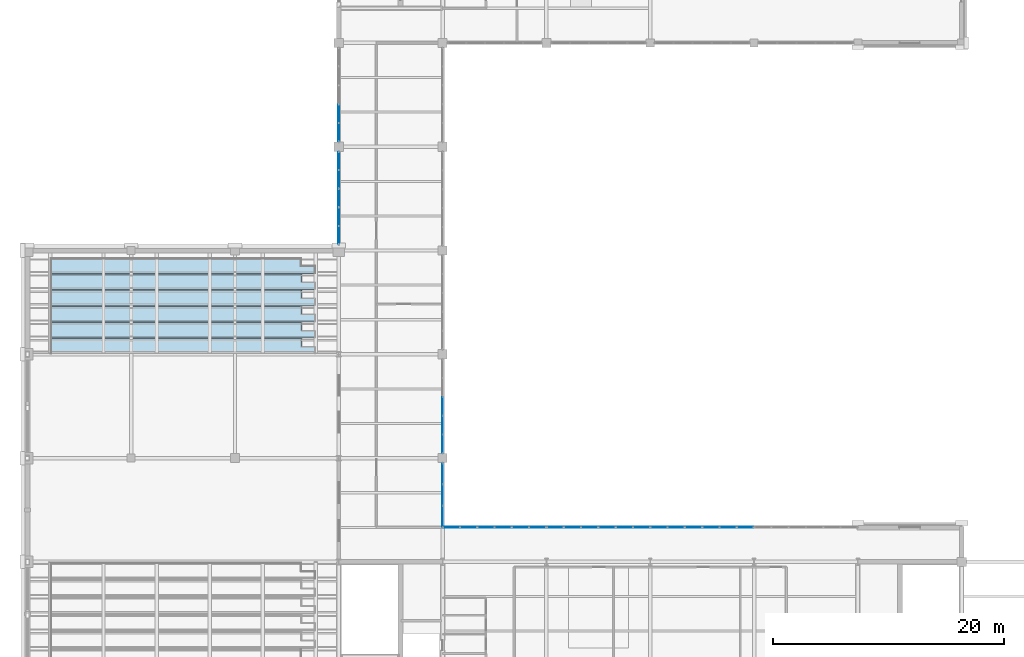
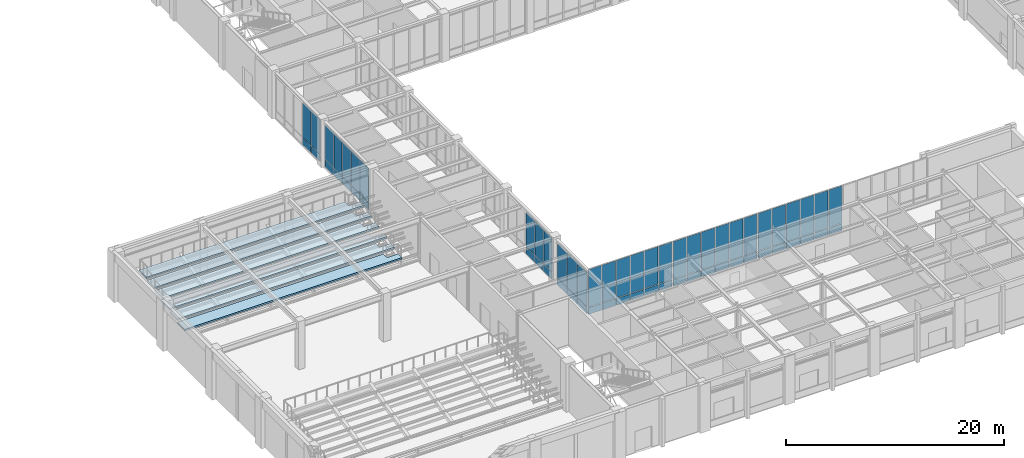
# One storey, part 52 of 77: 62 plates, 6 slabs, 7 elements without a shape of their own.
"""IFC4 building model written with IfcOpenShell, lengths in metres."""

from ifc_helpers import new_model, si_unit, direction, frame, origin, origin_2d, place, context, subcontext, project, spatial, polyline, rectangle, outline, extrude, material, layer, layer_set, type_object, element, aggregate, save


model = new_model("IFC4")

# Units and contexts
model_context = context("Model", 3, precision=1e-05, world=origin(), true_north=direction((0.0, 1.0)))
body_context = subcontext(model_context, "Body", "Model", "MODEL_VIEW")
ifc_project = project(units=[si_unit("LENGTHUNIT", "METRE"), si_unit("AREAUNIT", "SQUARE_METRE"), si_unit("VOLUMEUNIT", "CUBIC_METRE"), si_unit("PLANEANGLEUNIT", "RADIAN"), si_unit("MASSUNIT", "GRAM", prefix="KILO")], contexts=[model_context])

# Site, building, storey
site_placement = place(None, origin())
site = spatial("IfcSite", under=ifc_project, at=site_placement, CompositionType="ELEMENT")
building_placement = place(site_placement, origin())
building = spatial("IfcBuilding", under=site, at=building_placement, Name="Lykobir Media Centre", CompositionType="ELEMENT")
storey_placement = place(building_placement, origin())
storey = spatial("IfcBuildingStorey", under=building, at=storey_placement, Name="L00", CompositionType="ELEMENT", Elevation=0.0)

# Curtain wall, plates
ifc_material_1 = material(Name="Anodized Aluminium AW-6060", Category="aluminium")
curtain_wall_type = type_object("IfcCurtainWallType", Name="CW-COURT-A", PredefinedType="NOTDEFINED", material=ifc_material_1)
curtain_wall_1_placement = place(storey_placement, origin())
curtain_wall_1 = element("IfcCurtainWall", 1, at=curtain_wall_1_placement, inside=storey, type_object=curtain_wall_type, Name="Curtain wall CW2-L00-0010", PredefinedType="NOTDEFINED")
ifc_material_2 = material(Name="Low-E Laminated Triple Glazing", Category="glass")
ifc_layer_1 = layer(ifc_material_2, 0.0380859375, Name="Low-E Laminated Triple Glazing")
ifc_layer_set_1 = layer_set([ifc_layer_1], Name="Low-E Laminated Triple Glazing")
plate_type_1 = type_object("IfcPlateType", Name="CWP-GLZ-38", PredefinedType="CURTAIN_PANEL", material=ifc_layer_set_1)
plate_1_placement = place(storey_placement, frame((36.76611328125, 21.0, 0.882568359375), z_axis=(0.0, 0.0, 1.0), x_axis=(1.0, 0.0, 0.0)))
plate_1 = element("IfcPlate", 2, at=plate_1_placement, type_object=plate_type_1, Name="CW2-L00-0010 panel 1.2", PredefinedType="CURTAIN_PANEL", context=body_context, shape_type="SweptSolid", body=[
    extrude(rectangle(XDim=1.402587890625, YDim=0.0380859375, at=origin_2d()), origin(), (0.0, 0.0, 1.0), 4.1923828125),
])
plate_2_placement = place(storey_placement, frame((38.25, 21.0, 0.882568359375), z_axis=(0.0, 0.0, 1.0), x_axis=(1.0, 0.0, 0.0)))
plate_2 = element("IfcPlate", 3, at=plate_2_placement, type_object=plate_type_1, Name="CW2-L00-0010 panel 2.2", PredefinedType="CURTAIN_PANEL", context=body_context, shape_type="SweptSolid", body=[
    extrude(rectangle(XDim=1.43505859375, YDim=0.0380859375, at=origin_2d()), origin(), (0.0, 0.0, 1.0), 4.1923828125),
])
plate_3_placement = place(storey_placement, frame((39.75, 21.0, 0.882568359375), z_axis=(0.0, 0.0, 1.0), x_axis=(1.0, 0.0, 0.0)))
plate_3 = element("IfcPlate", 4, at=plate_3_placement, type_object=plate_type_1, Name="CW2-L00-0010 panel 3.2", PredefinedType="CURTAIN_PANEL", context=body_context, shape_type="SweptSolid", body=[
    extrude(rectangle(XDim=1.43505859375, YDim=0.0380859375, at=origin_2d()), origin(), (0.0, 0.0, 1.0), 4.1923828125),
])
plate_4_placement = place(storey_placement, frame((41.25, 21.0, 0.882568359375), z_axis=(0.0, 0.0, 1.0), x_axis=(1.0, 0.0, 0.0)))
plate_4 = element("IfcPlate", 5, at=plate_4_placement, type_object=plate_type_1, Name="CW2-L00-0010 panel 4.2", PredefinedType="CURTAIN_PANEL", context=body_context, shape_type="SweptSolid", body=[
    extrude(rectangle(XDim=1.43505859375, YDim=0.0380859375, at=origin_2d()), origin(), (0.0, 0.0, 1.0), 4.1923828125),
])
plate_5_placement = place(storey_placement, frame((42.75, 21.0, 0.882568359375), z_axis=(0.0, 0.0, 1.0), x_axis=(1.0, 0.0, 0.0)))
plate_5 = element("IfcPlate", 6, at=plate_5_placement, type_object=plate_type_1, Name="CW2-L00-0010 panel 5.2", PredefinedType="CURTAIN_PANEL", context=body_context, shape_type="SweptSolid", body=[
    extrude(rectangle(XDim=1.43505859375, YDim=0.0380859375, at=origin_2d()), origin(), (0.0, 0.0, 1.0), 4.1923828125),
])
plate_6_placement = place(storey_placement, frame((44.23388671875, 21.0, 0.882568359375), z_axis=(0.0, 0.0, 1.0), x_axis=(1.0, 0.0, 0.0)))
plate_6 = element("IfcPlate", 7, at=plate_6_placement, type_object=plate_type_1, Name="CW2-L00-0010 panel 6.2", PredefinedType="CURTAIN_PANEL", context=body_context, shape_type="SweptSolid", body=[
    extrude(rectangle(XDim=1.402587890625, YDim=0.0380859375, at=origin_2d()), origin(), (0.0, 0.0, 1.0), 4.1923828125),
])

curtain_wall_2_placement = place(storey_placement, origin())
curtain_wall_2 = element("IfcCurtainWall", 8, at=curtain_wall_2_placement, inside=storey, type_object=curtain_wall_type, Name="Curtain wall CW2-L00-0011", PredefinedType="NOTDEFINED")
plate_7_placement = place(storey_placement, frame((45.76611328125, 21.0, 0.882568359375), z_axis=(0.0, 0.0, 1.0), x_axis=(1.0, 0.0, 0.0)))
plate_7 = element("IfcPlate", 9, at=plate_7_placement, type_object=plate_type_1, Name="CW2-L00-0011 panel 1.2", PredefinedType="CURTAIN_PANEL", context=body_context, shape_type="SweptSolid", body=[
    extrude(rectangle(XDim=1.402587890625, YDim=0.0380859375, at=origin_2d()), origin(), (0.0, 0.0, 1.0), 4.1923828125),
])
plate_8_placement = place(storey_placement, frame((47.25, 21.0, 0.882568359375), z_axis=(0.0, 0.0, 1.0), x_axis=(1.0, 0.0, 0.0)))
plate_8 = element("IfcPlate", 10, at=plate_8_placement, type_object=plate_type_1, Name="CW2-L00-0011 panel 2.2", PredefinedType="CURTAIN_PANEL", context=body_context, shape_type="SweptSolid", body=[
    extrude(rectangle(XDim=1.43505859375, YDim=0.0380859375, at=origin_2d()), origin(), (0.0, 0.0, 1.0), 4.1923828125),
])
plate_9_placement = place(storey_placement, frame((48.75, 21.0, 0.882568359375), z_axis=(0.0, 0.0, 1.0), x_axis=(1.0, 0.0, 0.0)))
plate_9 = element("IfcPlate", 11, at=plate_9_placement, type_object=plate_type_1, Name="CW2-L00-0011 panel 3.2", PredefinedType="CURTAIN_PANEL", context=body_context, shape_type="SweptSolid", body=[
    extrude(rectangle(XDim=1.43505859375, YDim=0.0380859375, at=origin_2d()), origin(), (0.0, 0.0, 1.0), 4.1923828125),
])
plate_10_placement = place(storey_placement, frame((50.25, 21.0, 0.882568359375), z_axis=(0.0, 0.0, 1.0), x_axis=(1.0, 0.0, 0.0)))
plate_10 = element("IfcPlate", 12, at=plate_10_placement, type_object=plate_type_1, Name="CW2-L00-0011 panel 4.2", PredefinedType="CURTAIN_PANEL", context=body_context, shape_type="SweptSolid", body=[
    extrude(rectangle(XDim=1.43505859375, YDim=0.0380859375, at=origin_2d()), origin(), (0.0, 0.0, 1.0), 4.1923828125),
])
plate_11_placement = place(storey_placement, frame((51.75, 21.0, 0.882568359375), z_axis=(0.0, 0.0, 1.0), x_axis=(1.0, 0.0, 0.0)))
plate_11 = element("IfcPlate", 13, at=plate_11_placement, type_object=plate_type_1, Name="CW2-L00-0011 panel 5.2", PredefinedType="CURTAIN_PANEL", context=body_context, shape_type="SweptSolid", body=[
    extrude(rectangle(XDim=1.43505859375, YDim=0.0380859375, at=origin_2d()), origin(), (0.0, 0.0, 1.0), 4.1923828125),
])
plate_12_placement = place(storey_placement, frame((53.23388671875, 21.0, 0.882568359375), z_axis=(0.0, 0.0, 1.0), x_axis=(1.0, 0.0, 0.0)))
plate_12 = element("IfcPlate", 14, at=plate_12_placement, type_object=plate_type_1, Name="CW2-L00-0011 panel 6.2", PredefinedType="CURTAIN_PANEL", context=body_context, shape_type="SweptSolid", body=[
    extrude(rectangle(XDim=1.402587890625, YDim=0.0380859375, at=origin_2d()), origin(), (0.0, 0.0, 1.0), 4.1923828125),
])

curtain_wall_3_placement = place(storey_placement, origin())
curtain_wall_3 = element("IfcCurtainWall", 15, at=curtain_wall_3_placement, inside=storey, type_object=curtain_wall_type, Name="Curtain wall CW2-L00-0012", PredefinedType="NOTDEFINED")
plate_13_placement = place(storey_placement, frame((54.76611328125, 21.0, 0.882568359375), z_axis=(0.0, 0.0, 1.0), x_axis=(1.0, 0.0, 0.0)))
plate_13 = element("IfcPlate", 16, at=plate_13_placement, type_object=plate_type_1, Name="CW2-L00-0012 panel 1.2", PredefinedType="CURTAIN_PANEL", context=body_context, shape_type="SweptSolid", body=[
    extrude(rectangle(XDim=1.402587890625, YDim=0.0380859375, at=origin_2d()), origin(), (0.0, 0.0, 1.0), 4.1923828125),
])
plate_14_placement = place(storey_placement, frame((56.25, 21.0, 0.882568359375), z_axis=(0.0, 0.0, 1.0), x_axis=(1.0, 0.0, 0.0)))
plate_14 = element("IfcPlate", 17, at=plate_14_placement, type_object=plate_type_1, Name="CW2-L00-0012 panel 2.2", PredefinedType="CURTAIN_PANEL", context=body_context, shape_type="SweptSolid", body=[
    extrude(rectangle(XDim=1.43505859375, YDim=0.0380859375, at=origin_2d()), origin(), (0.0, 0.0, 1.0), 4.1923828125),
])
plate_15_placement = place(storey_placement, frame((57.75, 21.0, 0.882568359375), z_axis=(0.0, 0.0, 1.0), x_axis=(1.0, 0.0, 0.0)))
plate_15 = element("IfcPlate", 18, at=plate_15_placement, type_object=plate_type_1, Name="CW2-L00-0012 panel 3.2", PredefinedType="CURTAIN_PANEL", context=body_context, shape_type="SweptSolid", body=[
    extrude(rectangle(XDim=1.43505859375, YDim=0.0380859375, at=origin_2d()), origin(), (0.0, 0.0, 1.0), 4.1923828125),
])
plate_16_placement = place(storey_placement, frame((59.25, 21.0, 0.882568359375), z_axis=(0.0, 0.0, 1.0), x_axis=(1.0, 0.0, 0.0)))
plate_16 = element("IfcPlate", 19, at=plate_16_placement, type_object=plate_type_1, Name="CW2-L00-0012 panel 4.2", PredefinedType="CURTAIN_PANEL", context=body_context, shape_type="SweptSolid", body=[
    extrude(rectangle(XDim=1.43505859375, YDim=0.0380859375, at=origin_2d()), origin(), (0.0, 0.0, 1.0), 4.1923828125),
])
plate_17_placement = place(storey_placement, frame((60.75, 21.0, 0.882568359375), z_axis=(0.0, 0.0, 1.0), x_axis=(1.0, 0.0, 0.0)))
plate_17 = element("IfcPlate", 20, at=plate_17_placement, type_object=plate_type_1, Name="CW2-L00-0012 panel 5.2", PredefinedType="CURTAIN_PANEL", context=body_context, shape_type="SweptSolid", body=[
    extrude(rectangle(XDim=1.43505859375, YDim=0.0380859375, at=origin_2d()), origin(), (0.0, 0.0, 1.0), 4.1923828125),
])
plate_18_placement = place(storey_placement, frame((62.23388671875, 21.0, 0.882568359375), z_axis=(0.0, 0.0, 1.0), x_axis=(1.0, 0.0, 0.0)))
plate_18 = element("IfcPlate", 21, at=plate_18_placement, type_object=plate_type_1, Name="CW2-L00-0012 panel 6.2", PredefinedType="CURTAIN_PANEL", context=body_context, shape_type="SweptSolid", body=[
    extrude(rectangle(XDim=1.402587890625, YDim=0.0380859375, at=origin_2d()), origin(), (0.0, 0.0, 1.0), 4.1923828125),
])

curtain_wall_4_placement = place(storey_placement, origin())
curtain_wall_4 = element("IfcCurtainWall", 22, at=curtain_wall_4_placement, inside=storey, type_object=curtain_wall_type, Name="Curtain wall CW2-L00-0014", PredefinedType="NOTDEFINED")
plate_19_placement = place(storey_placement, frame((36.0, 25.646240234375, 0.882568359375), z_axis=(0.0, 0.0, 1.0), x_axis=(0.0, -1.0, 0.0)))
plate_19 = element("IfcPlate", 23, at=plate_19_placement, type_object=plate_type_1, Name="CW2-L00-0014 panel 1.2", PredefinedType="CURTAIN_PANEL", context=body_context, shape_type="SweptSolid", body=[
    extrude(rectangle(XDim=1.767578125, YDim=0.0380859375, at=origin_2d()), origin(), (0.0, 0.0, 1.0), 3.8076171875),
])
plate_20_placement = place(storey_placement, frame((36.0, 23.797607421875, 0.882568359375), z_axis=(0.0, 0.0, 1.0), x_axis=(0.0, -1.0, 0.0)))
plate_20 = element("IfcPlate", 24, at=plate_20_placement, type_object=plate_type_1, Name="CW2-L00-0014 panel 2.2", PredefinedType="CURTAIN_PANEL", context=body_context, shape_type="SweptSolid", body=[
    extrude(rectangle(XDim=1.800048828125, YDim=0.0380859375, at=origin_2d()), origin(), (0.0, 0.0, 1.0), 3.8076171875),
])
plate_21_placement = place(storey_placement, frame((36.0, 21.94873046875, 0.882568359375), z_axis=(0.0, 0.0, 1.0), x_axis=(0.0, -1.0, 0.0)))
plate_21 = element("IfcPlate", 25, at=plate_21_placement, type_object=plate_type_1, Name="CW2-L00-0014 panel 3.2", PredefinedType="CURTAIN_PANEL", context=body_context, shape_type="SweptSolid", body=[
    extrude(rectangle(XDim=1.767578125, YDim=0.0380859375, at=origin_2d()), origin(), (0.0, 0.0, 1.0), 3.8076171875),
])

curtain_wall_5_placement = place(storey_placement, origin())
curtain_wall_5 = element("IfcCurtainWall", 26, at=curtain_wall_5_placement, inside=storey, type_object=curtain_wall_type, Name="Curtain wall CW2-L00-0015", PredefinedType="NOTDEFINED")
plate_22_placement = place(storey_placement, frame((36.0, 31.5, 0.882568359375), z_axis=(0.0, 0.0, 1.0), x_axis=(0.0, -1.0, 0.0)))
plate_22 = element("IfcPlate", 27, at=plate_22_placement, type_object=plate_type_1, Name="CW2-L00-0015 panel 3.2", PredefinedType="CURTAIN_PANEL", context=body_context, shape_type="SweptSolid", body=[
    extrude(rectangle(XDim=1.572998046875, YDim=0.0380859375, at=origin_2d()), origin(), (0.0, 0.0, 1.0), 3.8076171875),
])
plate_23_placement = place(storey_placement, frame((36.0, 29.862060546875, 0.882568359375), z_axis=(0.0, 0.0, 1.0), x_axis=(0.0, -1.0, 0.0)))
plate_23 = element("IfcPlate", 28, at=plate_23_placement, type_object=plate_type_1, Name="CW2-L00-0015 panel 4.2", PredefinedType="CURTAIN_PANEL", context=body_context, shape_type="SweptSolid", body=[
    extrude(rectangle(XDim=1.572998046875, YDim=0.0380859375, at=origin_2d()), origin(), (0.0, 0.0, 1.0), 3.8076171875),
])
plate_24_placement = place(storey_placement, frame((36.0, 28.240234375, 0.882568359375), z_axis=(0.0, 0.0, 1.0), x_axis=(0.0, -1.0, 0.0)))
plate_24 = element("IfcPlate", 29, at=plate_24_placement, type_object=plate_type_1, Name="CW2-L00-0015 panel 5.2", PredefinedType="CURTAIN_PANEL", context=body_context, shape_type="SweptSolid", body=[
    extrude(rectangle(XDim=1.54052734375, YDim=0.0380859375, at=origin_2d()), origin(), (0.0, 0.0, 1.0), 3.8076171875),
])

curtain_wall_6_placement = place(storey_placement, origin())
curtain_wall_6 = element("IfcCurtainWall", 30, at=curtain_wall_6_placement, inside=storey, type_object=curtain_wall_type, Name="Curtain wall CW2-L00-0023", PredefinedType="NOTDEFINED")
plate_25_placement = place(storey_placement, frame((27.0, 46.330078125, 0.882568359375), z_axis=(0.0, 0.0, 1.0), x_axis=(0.0, 1.0, 0.0)))
plate_25 = element("IfcPlate", 31, at=plate_25_placement, type_object=plate_type_1, Name="CW2-L00-0023 panel 1.2", PredefinedType="CURTAIN_PANEL", context=body_context, shape_type="SweptSolid", body=[
    extrude(rectangle(XDim=1.5205078125, YDim=0.0380859375, at=origin_2d()), origin(), (0.0, 0.0, 1.0), 3.847412109375),
])
plate_26_placement = place(storey_placement, frame((27.0, 47.931884765625, 0.882568359375), z_axis=(0.0, 0.0, 1.0), x_axis=(0.0, 1.0, 0.0)))
plate_26 = element("IfcPlate", 32, at=plate_26_placement, type_object=plate_type_1, Name="CW2-L00-0023 panel 2.2", PredefinedType="CURTAIN_PANEL", context=body_context, shape_type="SweptSolid", body=[
    extrude(rectangle(XDim=1.552978515625, YDim=0.0380859375, at=origin_2d()), origin(), (0.0, 0.0, 1.0), 3.847412109375),
])
plate_27_placement = place(storey_placement, frame((27.0, 49.550048828125, 0.882568359375), z_axis=(0.0, 0.0, 1.0), x_axis=(0.0, 1.0, 0.0)))
plate_27 = element("IfcPlate", 33, at=plate_27_placement, type_object=plate_type_1, Name="CW2-L00-0023 panel 3.2", PredefinedType="CURTAIN_PANEL", context=body_context, shape_type="SweptSolid", body=[
    extrude(rectangle(XDim=1.552978515625, YDim=0.0380859375, at=origin_2d()), origin(), (0.0, 0.0, 1.0), 3.847412109375),
])
plate_28_placement = place(storey_placement, frame((27.0, 51.16796875, 0.882568359375), z_axis=(0.0, 0.0, 1.0), x_axis=(0.0, 1.0, 0.0)))
plate_28 = element("IfcPlate", 34, at=plate_28_placement, type_object=plate_type_1, Name="CW2-L00-0023 panel 4.2", PredefinedType="CURTAIN_PANEL", context=body_context, shape_type="SweptSolid", body=[
    extrude(rectangle(XDim=1.552978515625, YDim=0.0380859375, at=origin_2d()), origin(), (0.0, 0.0, 1.0), 3.847412109375),
])
plate_29_placement = place(storey_placement, frame((27.0, 52.769775390625, 0.882568359375), z_axis=(0.0, 0.0, 1.0), x_axis=(0.0, 1.0, 0.0)))
plate_29 = element("IfcPlate", 35, at=plate_29_placement, type_object=plate_type_1, Name="CW2-L00-0023 panel 5.2", PredefinedType="CURTAIN_PANEL", context=body_context, shape_type="SweptSolid", body=[
    extrude(rectangle(XDim=1.5205078125, YDim=0.0380859375, at=origin_2d()), origin(), (0.0, 0.0, 1.0), 3.847412109375),
])

curtain_wall_7_placement = place(storey_placement, origin())
curtain_wall_7 = element("IfcCurtainWall", 36, at=curtain_wall_7_placement, inside=storey, type_object=curtain_wall_type, Name="Curtain wall CW2-L00-0024", PredefinedType="NOTDEFINED")
plate_30_placement = place(storey_placement, frame((27.0, 55.240234375, 0.882568359375), z_axis=(0.0, 0.0, 1.0), x_axis=(0.0, 1.0, 0.0)))
plate_30 = element("IfcPlate", 37, at=plate_30_placement, type_object=plate_type_1, Name="CW2-L00-0024 panel 1.2", PredefinedType="CURTAIN_PANEL", context=body_context, shape_type="SweptSolid", body=[
    extrude(rectangle(XDim=1.54052734375, YDim=0.0380859375, at=origin_2d()), origin(), (0.0, 0.0, 1.0), 3.847412109375),
])
plate_31_placement = place(storey_placement, frame((27.0, 56.862060546875, 0.882568359375), z_axis=(0.0, 0.0, 1.0), x_axis=(0.0, 1.0, 0.0)))
plate_31 = element("IfcPlate", 38, at=plate_31_placement, type_object=plate_type_1, Name="CW2-L00-0024 panel 2.2", PredefinedType="CURTAIN_PANEL", context=body_context, shape_type="SweptSolid", body=[
    extrude(rectangle(XDim=1.572998046875, YDim=0.0380859375, at=origin_2d()), origin(), (0.0, 0.0, 1.0), 3.847412109375),
])

# Plate
ifc_material_3 = material(Name="Glazed Turquoise Terracotta", Category="masonry")
ifc_layer_2 = layer(ifc_material_3, 0.06005859375, Name="Glazed Turquoise Terracotta")
ifc_layer_set_2 = layer_set([ifc_layer_2], Name="Glazed Turquoise Terracotta")
plate_type_2 = type_object("IfcPlateType", Name="CWP-SPN-60", PredefinedType="CURTAIN_PANEL", material=ifc_layer_set_2)
plate_32_placement = place(storey_placement, frame((36.76611328125, 21.0, 0.06494140625), z_axis=(0.0, 0.0, 1.0), x_axis=(1.0, 0.0, 0.0)))
plate_32 = element("IfcPlate", 39, at=plate_32_placement, type_object=plate_type_2, Name="CW2-L00-0010 panel 1.1", PredefinedType="CURTAIN_PANEL", context=body_context, shape_type="SweptSolid", body=[
    extrude(rectangle(XDim=1.402587890625, YDim=0.06005859375, at=origin_2d()), origin(), (0.0, 0.0, 1.0), 0.75244140625),
])

plate_33_placement = place(storey_placement, frame((38.25, 21.0, 0.06494140625), z_axis=(0.0, 0.0, 1.0), x_axis=(1.0, 0.0, 0.0)))
plate_33 = element("IfcPlate", 40, at=plate_33_placement, type_object=plate_type_2, Name="CW2-L00-0010 panel 2.1", PredefinedType="CURTAIN_PANEL", context=body_context, shape_type="SweptSolid", body=[
    extrude(rectangle(XDim=1.43505859375, YDim=0.06005859375, at=origin_2d()), origin(), (0.0, 0.0, 1.0), 0.75244140625),
])

plate_34_placement = place(storey_placement, frame((39.75, 21.0, 0.06494140625), z_axis=(0.0, 0.0, 1.0), x_axis=(1.0, 0.0, 0.0)))
plate_34 = element("IfcPlate", 41, at=plate_34_placement, type_object=plate_type_2, Name="CW2-L00-0010 panel 3.1", PredefinedType="CURTAIN_PANEL", context=body_context, shape_type="SweptSolid", body=[
    extrude(rectangle(XDim=1.43505859375, YDim=0.06005859375, at=origin_2d()), origin(), (0.0, 0.0, 1.0), 0.75244140625),
])

plate_35_placement = place(storey_placement, frame((41.25, 21.0, 0.06494140625), z_axis=(0.0, 0.0, 1.0), x_axis=(1.0, 0.0, 0.0)))
plate_35 = element("IfcPlate", 42, at=plate_35_placement, type_object=plate_type_2, Name="CW2-L00-0010 panel 4.1", PredefinedType="CURTAIN_PANEL", context=body_context, shape_type="SweptSolid", body=[
    extrude(rectangle(XDim=1.43505859375, YDim=0.06005859375, at=origin_2d()), origin(), (0.0, 0.0, 1.0), 0.75244140625),
])

plate_36_placement = place(storey_placement, frame((42.75, 21.0, 0.06494140625), z_axis=(0.0, 0.0, 1.0), x_axis=(1.0, 0.0, 0.0)))
plate_36 = element("IfcPlate", 43, at=plate_36_placement, type_object=plate_type_2, Name="CW2-L00-0010 panel 5.1", PredefinedType="CURTAIN_PANEL", context=body_context, shape_type="SweptSolid", body=[
    extrude(rectangle(XDim=1.43505859375, YDim=0.06005859375, at=origin_2d()), origin(), (0.0, 0.0, 1.0), 0.75244140625),
])

plate_37_placement = place(storey_placement, frame((44.23388671875, 21.0, 0.06494140625), z_axis=(0.0, 0.0, 1.0), x_axis=(1.0, 0.0, 0.0)))
plate_37 = element("IfcPlate", 44, at=plate_37_placement, type_object=plate_type_2, Name="CW2-L00-0010 panel 6.1", PredefinedType="CURTAIN_PANEL", context=body_context, shape_type="SweptSolid", body=[
    extrude(rectangle(XDim=1.402587890625, YDim=0.06005859375, at=origin_2d()), origin(), (0.0, 0.0, 1.0), 0.75244140625),
])

aggregate(curtain_wall_1, [plate_32, plate_1, plate_33, plate_2, plate_34, plate_3, plate_35, plate_4, plate_36, plate_5, plate_37, plate_6])

plate_38_placement = place(storey_placement, frame((45.76611328125, 21.0, 0.06494140625), z_axis=(0.0, 0.0, 1.0), x_axis=(1.0, 0.0, 0.0)))
plate_38 = element("IfcPlate", 45, at=plate_38_placement, type_object=plate_type_2, Name="CW2-L00-0011 panel 1.1", PredefinedType="CURTAIN_PANEL", context=body_context, shape_type="SweptSolid", body=[
    extrude(rectangle(XDim=1.402587890625, YDim=0.06005859375, at=origin_2d()), origin(), (0.0, 0.0, 1.0), 0.75244140625),
])

plate_39_placement = place(storey_placement, frame((47.25, 21.0, 0.06494140625), z_axis=(0.0, 0.0, 1.0), x_axis=(1.0, 0.0, 0.0)))
plate_39 = element("IfcPlate", 46, at=plate_39_placement, type_object=plate_type_2, Name="CW2-L00-0011 panel 2.1", PredefinedType="CURTAIN_PANEL", context=body_context, shape_type="SweptSolid", body=[
    extrude(rectangle(XDim=1.43505859375, YDim=0.06005859375, at=origin_2d()), origin(), (0.0, 0.0, 1.0), 0.75244140625),
])

plate_40_placement = place(storey_placement, frame((48.75, 21.0, 0.06494140625), z_axis=(0.0, 0.0, 1.0), x_axis=(1.0, 0.0, 0.0)))
plate_40 = element("IfcPlate", 47, at=plate_40_placement, type_object=plate_type_2, Name="CW2-L00-0011 panel 3.1", PredefinedType="CURTAIN_PANEL", context=body_context, shape_type="SweptSolid", body=[
    extrude(rectangle(XDim=1.43505859375, YDim=0.06005859375, at=origin_2d()), origin(), (0.0, 0.0, 1.0), 0.75244140625),
])

plate_41_placement = place(storey_placement, frame((50.25, 21.0, 0.06494140625), z_axis=(0.0, 0.0, 1.0), x_axis=(1.0, 0.0, 0.0)))
plate_41 = element("IfcPlate", 48, at=plate_41_placement, type_object=plate_type_2, Name="CW2-L00-0011 panel 4.1", PredefinedType="CURTAIN_PANEL", context=body_context, shape_type="SweptSolid", body=[
    extrude(rectangle(XDim=1.43505859375, YDim=0.06005859375, at=origin_2d()), origin(), (0.0, 0.0, 1.0), 0.75244140625),
])

plate_42_placement = place(storey_placement, frame((51.75, 21.0, 0.06494140625), z_axis=(0.0, 0.0, 1.0), x_axis=(1.0, 0.0, 0.0)))
plate_42 = element("IfcPlate", 49, at=plate_42_placement, type_object=plate_type_2, Name="CW2-L00-0011 panel 5.1", PredefinedType="CURTAIN_PANEL", context=body_context, shape_type="SweptSolid", body=[
    extrude(rectangle(XDim=1.43505859375, YDim=0.06005859375, at=origin_2d()), origin(), (0.0, 0.0, 1.0), 0.75244140625),
])

plate_43_placement = place(storey_placement, frame((53.23388671875, 21.0, 0.06494140625), z_axis=(0.0, 0.0, 1.0), x_axis=(1.0, 0.0, 0.0)))
plate_43 = element("IfcPlate", 50, at=plate_43_placement, type_object=plate_type_2, Name="CW2-L00-0011 panel 6.1", PredefinedType="CURTAIN_PANEL", context=body_context, shape_type="SweptSolid", body=[
    extrude(rectangle(XDim=1.402587890625, YDim=0.06005859375, at=origin_2d()), origin(), (0.0, 0.0, 1.0), 0.75244140625),
])

aggregate(curtain_wall_2, [plate_38, plate_7, plate_39, plate_8, plate_40, plate_9, plate_41, plate_10, plate_42, plate_11, plate_43, plate_12])

plate_44_placement = place(storey_placement, frame((54.76611328125, 21.0, 0.06494140625), z_axis=(0.0, 0.0, 1.0), x_axis=(1.0, 0.0, 0.0)))
plate_44 = element("IfcPlate", 51, at=plate_44_placement, type_object=plate_type_2, Name="CW2-L00-0012 panel 1.1", PredefinedType="CURTAIN_PANEL", context=body_context, shape_type="SweptSolid", body=[
    extrude(rectangle(XDim=1.402587890625, YDim=0.06005859375, at=origin_2d()), origin(), (0.0, 0.0, 1.0), 0.75244140625),
])

plate_45_placement = place(storey_placement, frame((56.25, 21.0, 0.06494140625), z_axis=(0.0, 0.0, 1.0), x_axis=(1.0, 0.0, 0.0)))
plate_45 = element("IfcPlate", 52, at=plate_45_placement, type_object=plate_type_2, Name="CW2-L00-0012 panel 2.1", PredefinedType="CURTAIN_PANEL", context=body_context, shape_type="SweptSolid", body=[
    extrude(rectangle(XDim=1.43505859375, YDim=0.06005859375, at=origin_2d()), origin(), (0.0, 0.0, 1.0), 0.75244140625),
])

plate_46_placement = place(storey_placement, frame((57.75, 21.0, 0.06494140625), z_axis=(0.0, 0.0, 1.0), x_axis=(1.0, 0.0, 0.0)))
plate_46 = element("IfcPlate", 53, at=plate_46_placement, type_object=plate_type_2, Name="CW2-L00-0012 panel 3.1", PredefinedType="CURTAIN_PANEL", context=body_context, shape_type="SweptSolid", body=[
    extrude(rectangle(XDim=1.43505859375, YDim=0.06005859375, at=origin_2d()), origin(), (0.0, 0.0, 1.0), 0.75244140625),
])

plate_47_placement = place(storey_placement, frame((59.25, 21.0, 0.06494140625), z_axis=(0.0, 0.0, 1.0), x_axis=(1.0, 0.0, 0.0)))
plate_47 = element("IfcPlate", 54, at=plate_47_placement, type_object=plate_type_2, Name="CW2-L00-0012 panel 4.1", PredefinedType="CURTAIN_PANEL", context=body_context, shape_type="SweptSolid", body=[
    extrude(rectangle(XDim=1.43505859375, YDim=0.06005859375, at=origin_2d()), origin(), (0.0, 0.0, 1.0), 0.75244140625),
])

plate_48_placement = place(storey_placement, frame((60.75, 21.0, 0.06494140625), z_axis=(0.0, 0.0, 1.0), x_axis=(1.0, 0.0, 0.0)))
plate_48 = element("IfcPlate", 55, at=plate_48_placement, type_object=plate_type_2, Name="CW2-L00-0012 panel 5.1", PredefinedType="CURTAIN_PANEL", context=body_context, shape_type="SweptSolid", body=[
    extrude(rectangle(XDim=1.43505859375, YDim=0.06005859375, at=origin_2d()), origin(), (0.0, 0.0, 1.0), 0.75244140625),
])

plate_49_placement = place(storey_placement, frame((62.23388671875, 21.0, 0.06494140625), z_axis=(0.0, 0.0, 1.0), x_axis=(1.0, 0.0, 0.0)))
plate_49 = element("IfcPlate", 56, at=plate_49_placement, type_object=plate_type_2, Name="CW2-L00-0012 panel 6.1", PredefinedType="CURTAIN_PANEL", context=body_context, shape_type="SweptSolid", body=[
    extrude(rectangle(XDim=1.402587890625, YDim=0.06005859375, at=origin_2d()), origin(), (0.0, 0.0, 1.0), 0.75244140625),
])

aggregate(curtain_wall_3, [plate_44, plate_13, plate_45, plate_14, plate_46, plate_15, plate_47, plate_16, plate_48, plate_17, plate_49, plate_18])

plate_50_placement = place(storey_placement, frame((36.0, 25.646240234375, 0.06494140625), z_axis=(0.0, 0.0, 1.0), x_axis=(0.0, -1.0, 0.0)))
plate_50 = element("IfcPlate", 57, at=plate_50_placement, type_object=plate_type_2, Name="CW2-L00-0014 panel 1.1", PredefinedType="CURTAIN_PANEL", context=body_context, shape_type="SweptSolid", body=[
    extrude(rectangle(XDim=1.767578125, YDim=0.06005859375, at=origin_2d()), origin(), (0.0, 0.0, 1.0), 0.75244140625),
])

plate_51_placement = place(storey_placement, frame((36.0, 23.797607421875, 0.06494140625), z_axis=(0.0, 0.0, 1.0), x_axis=(0.0, -1.0, 0.0)))
plate_51 = element("IfcPlate", 58, at=plate_51_placement, type_object=plate_type_2, Name="CW2-L00-0014 panel 2.1", PredefinedType="CURTAIN_PANEL", context=body_context, shape_type="SweptSolid", body=[
    extrude(rectangle(XDim=1.800048828125, YDim=0.06005859375, at=origin_2d()), origin(), (0.0, 0.0, 1.0), 0.75244140625),
])

plate_52_placement = place(storey_placement, frame((36.0, 21.94873046875, 0.06494140625), z_axis=(0.0, 0.0, 1.0), x_axis=(0.0, -1.0, 0.0)))
plate_52 = element("IfcPlate", 59, at=plate_52_placement, type_object=plate_type_2, Name="CW2-L00-0014 panel 3.1", PredefinedType="CURTAIN_PANEL", context=body_context, shape_type="SweptSolid", body=[
    extrude(rectangle(XDim=1.767578125, YDim=0.06005859375, at=origin_2d()), origin(), (0.0, 0.0, 1.0), 0.75244140625),
])

aggregate(curtain_wall_4, [plate_50, plate_19, plate_51, plate_20, plate_52, plate_21])

plate_53_placement = place(storey_placement, frame((36.0, 31.5, 0.06494140625), z_axis=(0.0, 0.0, 1.0), x_axis=(0.0, -1.0, 0.0)))
plate_53 = element("IfcPlate", 60, at=plate_53_placement, type_object=plate_type_2, Name="CW2-L00-0015 panel 3.1", PredefinedType="CURTAIN_PANEL", context=body_context, shape_type="SweptSolid", body=[
    extrude(rectangle(XDim=1.572998046875, YDim=0.06005859375, at=origin_2d()), origin(), (0.0, 0.0, 1.0), 0.75244140625),
])

plate_54_placement = place(storey_placement, frame((36.0, 29.862060546875, 0.06494140625), z_axis=(0.0, 0.0, 1.0), x_axis=(0.0, -1.0, 0.0)))
plate_54 = element("IfcPlate", 61, at=plate_54_placement, type_object=plate_type_2, Name="CW2-L00-0015 panel 4.1", PredefinedType="CURTAIN_PANEL", context=body_context, shape_type="SweptSolid", body=[
    extrude(rectangle(XDim=1.572998046875, YDim=0.06005859375, at=origin_2d()), origin(), (0.0, 0.0, 1.0), 0.75244140625),
])

plate_55_placement = place(storey_placement, frame((36.0, 28.240234375, 0.06494140625), z_axis=(0.0, 0.0, 1.0), x_axis=(0.0, -1.0, 0.0)))
plate_55 = element("IfcPlate", 62, at=plate_55_placement, type_object=plate_type_2, Name="CW2-L00-0015 panel 5.1", PredefinedType="CURTAIN_PANEL", context=body_context, shape_type="SweptSolid", body=[
    extrude(rectangle(XDim=1.54052734375, YDim=0.06005859375, at=origin_2d()), origin(), (0.0, 0.0, 1.0), 0.75244140625),
])

aggregate(curtain_wall_5, [plate_53, plate_22, plate_54, plate_23, plate_55, plate_24])

plate_56_placement = place(storey_placement, frame((27.0, 46.330078125, 0.06494140625), z_axis=(0.0, 0.0, 1.0), x_axis=(0.0, 1.0, 0.0)))
plate_56 = element("IfcPlate", 63, at=plate_56_placement, type_object=plate_type_2, Name="CW2-L00-0023 panel 1.1", PredefinedType="CURTAIN_PANEL", context=body_context, shape_type="SweptSolid", body=[
    extrude(rectangle(XDim=1.5205078125, YDim=0.06005859375, at=origin_2d()), origin(), (0.0, 0.0, 1.0), 0.75244140625),
])

plate_57_placement = place(storey_placement, frame((27.0, 47.931884765625, 0.06494140625), z_axis=(0.0, 0.0, 1.0), x_axis=(0.0, 1.0, 0.0)))
plate_57 = element("IfcPlate", 64, at=plate_57_placement, type_object=plate_type_2, Name="CW2-L00-0023 panel 2.1", PredefinedType="CURTAIN_PANEL", context=body_context, shape_type="SweptSolid", body=[
    extrude(rectangle(XDim=1.552978515625, YDim=0.06005859375, at=origin_2d()), origin(), (0.0, 0.0, 1.0), 0.75244140625),
])

plate_58_placement = place(storey_placement, frame((27.0, 49.550048828125, 0.06494140625), z_axis=(0.0, 0.0, 1.0), x_axis=(0.0, 1.0, 0.0)))
plate_58 = element("IfcPlate", 65, at=plate_58_placement, type_object=plate_type_2, Name="CW2-L00-0023 panel 3.1", PredefinedType="CURTAIN_PANEL", context=body_context, shape_type="SweptSolid", body=[
    extrude(rectangle(XDim=1.552978515625, YDim=0.06005859375, at=origin_2d()), origin(), (0.0, 0.0, 1.0), 0.75244140625),
])

plate_59_placement = place(storey_placement, frame((27.0, 51.16796875, 0.06494140625), z_axis=(0.0, 0.0, 1.0), x_axis=(0.0, 1.0, 0.0)))
plate_59 = element("IfcPlate", 66, at=plate_59_placement, type_object=plate_type_2, Name="CW2-L00-0023 panel 4.1", PredefinedType="CURTAIN_PANEL", context=body_context, shape_type="SweptSolid", body=[
    extrude(rectangle(XDim=1.552978515625, YDim=0.06005859375, at=origin_2d()), origin(), (0.0, 0.0, 1.0), 0.75244140625),
])

plate_60_placement = place(storey_placement, frame((27.0, 52.769775390625, 0.06494140625), z_axis=(0.0, 0.0, 1.0), x_axis=(0.0, 1.0, 0.0)))
plate_60 = element("IfcPlate", 67, at=plate_60_placement, type_object=plate_type_2, Name="CW2-L00-0023 panel 5.1", PredefinedType="CURTAIN_PANEL", context=body_context, shape_type="SweptSolid", body=[
    extrude(rectangle(XDim=1.5205078125, YDim=0.06005859375, at=origin_2d()), origin(), (0.0, 0.0, 1.0), 0.75244140625),
])

aggregate(curtain_wall_6, [plate_56, plate_25, plate_57, plate_26, plate_58, plate_27, plate_59, plate_28, plate_60, plate_29])

plate_61_placement = place(storey_placement, frame((27.0, 55.240234375, 0.06494140625), z_axis=(0.0, 0.0, 1.0), x_axis=(0.0, 1.0, 0.0)))
plate_61 = element("IfcPlate", 68, at=plate_61_placement, type_object=plate_type_2, Name="CW2-L00-0024 panel 1.1", PredefinedType="CURTAIN_PANEL", context=body_context, shape_type="SweptSolid", body=[
    extrude(rectangle(XDim=1.54052734375, YDim=0.06005859375, at=origin_2d()), origin(), (0.0, 0.0, 1.0), 0.75244140625),
])

plate_62_placement = place(storey_placement, frame((27.0, 56.862060546875, 0.06494140625), z_axis=(0.0, 0.0, 1.0), x_axis=(0.0, 1.0, 0.0)))
plate_62 = element("IfcPlate", 69, at=plate_62_placement, type_object=plate_type_2, Name="CW2-L00-0024 panel 2.1", PredefinedType="CURTAIN_PANEL", context=body_context, shape_type="SweptSolid", body=[
    extrude(rectangle(XDim=1.572998046875, YDim=0.06005859375, at=origin_2d()), origin(), (0.0, 0.0, 1.0), 0.75244140625),
])

aggregate(curtain_wall_7, [plate_61, plate_30, plate_62, plate_31])

# Slabs
ifc_material_4 = material(Name="Concrete C30/37", Category="concrete")
ifc_layer_3 = layer(ifc_material_4, 0.179931640625, Name="Concrete C30/37")
ifc_layer_set_3 = layer_set([ifc_layer_3], Name="Concrete C30/37")
slab_type = type_object("IfcSlabType", Name="ST-TIER-180", PredefinedType="USERDEFINED", material=ifc_layer_set_3)
slab_1_placement = place(storey_placement, frame((0.0, 0.0, 1.02001953125)))
element("IfcSlab", 70, at=slab_1_placement, inside=storey, type_object=slab_type, Name="SCR2 raked seating tier 1", ObjectType="SEATING TIER", PredefinedType="USERDEFINED", context=body_context, shape_type="SweptSolid", body=[
    extrude(outline(polyline([(2.0, 36.0), (25.0, 36.0), (25.0, 36.679931640625), (23.800048828125, 36.679931640625), (23.800048828125, 37.360107421875), (2.0, 37.360107421875), (2.0, 36.0)])), origin(), (0.0, 0.0, 1.0), 0.179931640625),
])
slab_2_placement = place(storey_placement, frame((0.0, 0.0, 1.340087890625)))
element("IfcSlab", 71, at=slab_2_placement, inside=storey, type_object=slab_type, Name="SCR2 raked seating tier 2", ObjectType="SEATING TIER", PredefinedType="USERDEFINED", context=body_context, shape_type="SweptSolid", body=[
    extrude(outline(polyline([(2.0, 37.39990234375), (25.0, 37.39990234375), (25.0, 38.080078125), (23.800048828125, 38.080078125), (23.800048828125, 38.760009765625), (2.0, 38.760009765625), (2.0, 37.39990234375)])), origin(), (0.0, 0.0, 1.0), 0.179931640625),
])
slab_3_placement = place(storey_placement, frame((0.0, 0.0, 1.659912109375)))
element("IfcSlab", 72, at=slab_3_placement, inside=storey, type_object=slab_type, Name="SCR2 raked seating tier 3", ObjectType="SEATING TIER", PredefinedType="USERDEFINED", context=body_context, shape_type="SweptSolid", body=[
    extrude(outline(polyline([(2.0, 38.800048828125), (25.0, 38.800048828125), (25.0, 39.47998046875), (23.800048828125, 39.47998046875), (23.800048828125, 40.159912109375), (2.0, 40.159912109375), (2.0, 38.800048828125)])), origin(), (0.0, 0.0, 1.0), 0.18017578125),
])
slab_4_placement = place(storey_placement, frame((0.0, 0.0, 1.97998046875)))
element("IfcSlab", 73, at=slab_4_placement, inside=storey, type_object=slab_type, Name="SCR2 raked seating tier 4", ObjectType="SEATING TIER", PredefinedType="USERDEFINED", context=body_context, shape_type="SweptSolid", body=[
    extrude(outline(polyline([(2.0, 40.199951171875), (25.0, 40.199951171875), (25.0, 40.8798828125), (23.800048828125, 40.8798828125), (23.800048828125, 41.56005859375), (2.0, 41.56005859375), (2.0, 40.199951171875)])), origin(), (0.0, 0.0, 1.0), 0.179931640625),
])
slab_5_placement = place(storey_placement, frame((0.0, 0.0, 2.300048828125)))
element("IfcSlab", 74, at=slab_5_placement, inside=storey, type_object=slab_type, Name="SCR2 raked seating tier 5", ObjectType="SEATING TIER", PredefinedType="USERDEFINED", context=body_context, shape_type="SweptSolid", body=[
    extrude(outline(polyline([(2.0, 41.60009765625), (25.0, 41.60009765625), (25.0, 42.280029296875), (23.800048828125, 42.280029296875), (23.800048828125, 42.9599609375), (2.0, 42.9599609375), (2.0, 41.60009765625)])), origin(), (0.0, 0.0, 1.0), 0.179931640625),
])
slab_6_placement = place(storey_placement, frame((0.0, 0.0, 2.6201171875)))
element("IfcSlab", 75, at=slab_6_placement, inside=storey, type_object=slab_type, Name="SCR2 raked seating tier 6", ObjectType="SEATING TIER", PredefinedType="USERDEFINED", context=body_context, shape_type="SweptSolid", body=[
    extrude(outline(polyline([(2.0, 43.0), (25.0, 43.0), (25.0, 43.679931640625), (23.800048828125, 43.679931640625), (23.800048828125, 44.360107421875), (2.0, 44.360107421875), (2.0, 43.0)])), origin(), (0.0, 0.0, 1.0), 0.179931640625),
])

save(model, "model.ifc")
